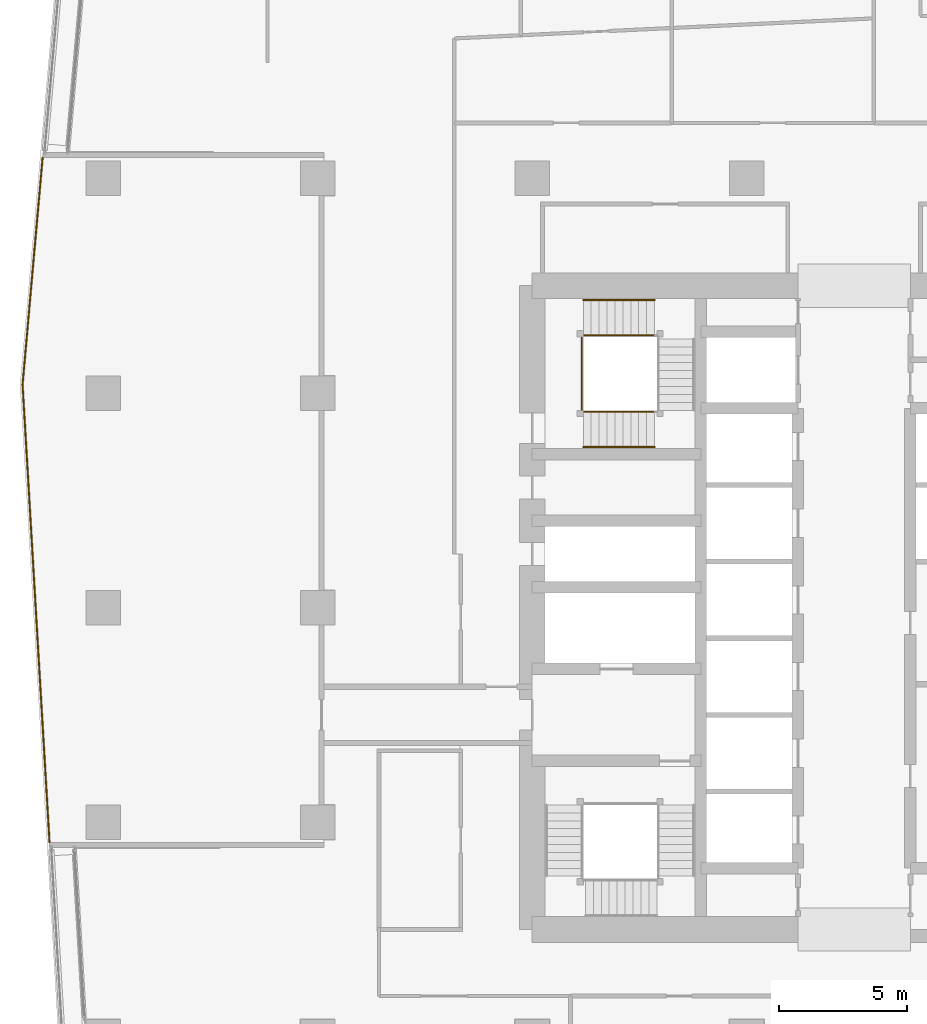
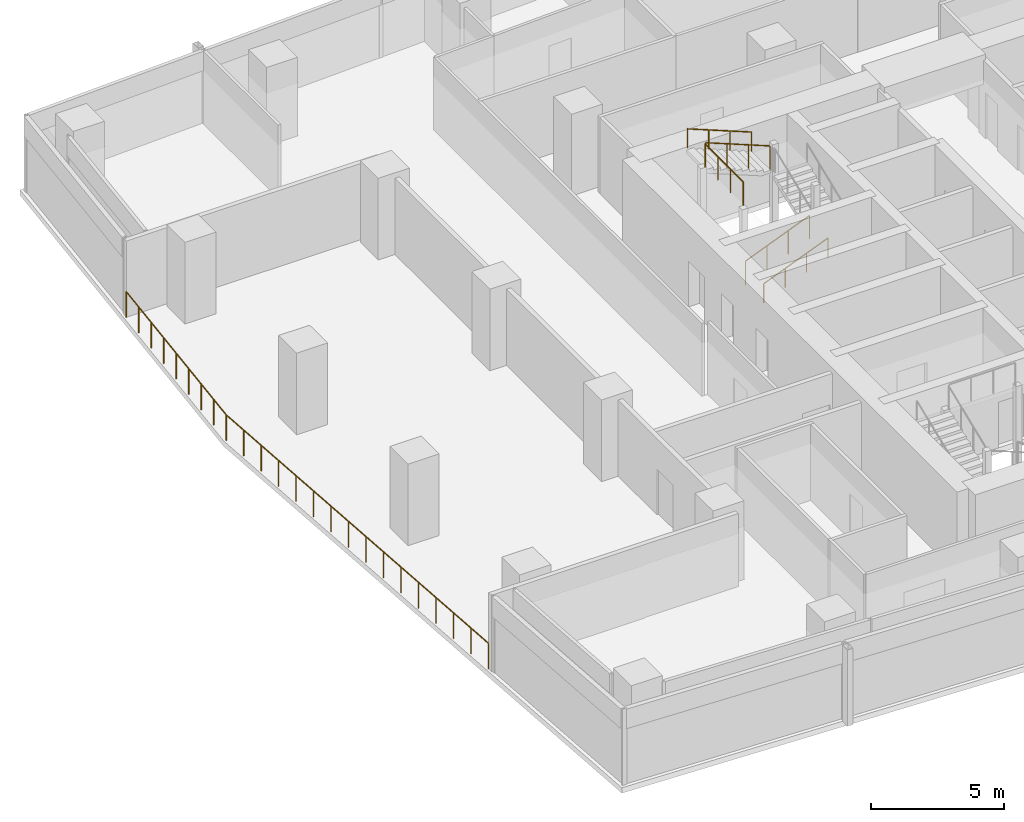
# One storey, part 30 of 35: 6 railings.
"""IFC4 building model written with IfcOpenShell, lengths in metres."""

import ifcopenshell
import ifcopenshell.guid

model = None  # the IFC model being written
_history = None  # IfcOwnerHistory: only IFC2X3 demands one
_inside = {}  # id of a spatial element -> (the spatial element, [elements in it])
_under = {}  # id of a project, library or spatial element -> (it, [spatial elements below it])
_declared = {}  # id of a project -> (the project, [libraries it declares])
_typed = {}  # id of a type object -> (the type object, [elements of that type])
_made_of = {}  # id of a material, layer set ... -> (it, [elements and type objects made of it])


def new_model(schema):
    """Start an empty IFC model of exactly this schema.

    Asked for "IFC4X3", IfcOpenShell would pick the latest addendum, in which some entities
    have other attributes; the version numbers below select the first issue.
    IFC2X3 requires an IfcOwnerHistory on every rooted entity: one is made here for all.
    """
    global model, _history
    if schema == "IFC4X3":
        model = ifcopenshell.file(schema_version=(4, 3, 0, 0))
    else:
        model = ifcopenshell.file(schema=schema)
    _inside.clear()
    _under.clear()
    _declared.clear()
    _typed.clear()
    _made_of.clear()
    _history = None
    if model.schema == "IFC2X3":
        org = make("IfcOrganization", Name="unknown")
        user = make(
            "IfcPersonAndOrganization",
            ThePerson=make("IfcPerson", FamilyName="unknown"),
            TheOrganization=org,
        )
        app = make(
            "IfcApplication",
            ApplicationDeveloper=org,
            Version="unknown",
            ApplicationFullName="unknown",
            ApplicationIdentifier="unknown",
        )
        _history = make(
            "IfcOwnerHistory",
            OwningUser=user,
            OwningApplication=app,
            ChangeAction="ADDED",
            CreationDate=0,
        )
    return model


def make(cls, **values):
    """One entity of the class cls with the attributes given. An attribute that is None is left unset."""
    return model.create_entity(
        cls, **{name: value for name, value in values.items() if value is not None}
    )


def rooted(cls, **values):
    """An entity with a GlobalId (a new one), such as an element, a storey or a relation."""
    return make(cls, GlobalId=ifcopenshell.guid.new(), OwnerHistory=_history, **values)


def si_unit(unit_type, name, prefix=None):
    """IfcSIUnit, for example si_unit("LENGTHUNIT", "METRE", prefix="MILLI")."""
    return make("IfcSIUnit", UnitType=unit_type, Prefix=prefix, Name=name)


def assignment(units):
    """IfcUnitAssignment: the units of a project."""
    return None if units is None else make("IfcUnitAssignment", Units=units)


def point(xyz):
    """IfcCartesianPoint."""
    return None if xyz is None else make("IfcCartesianPoint", Coordinates=xyz)


def direction(xyz):
    """IfcDirection."""
    return None if xyz is None else make("IfcDirection", DirectionRatios=xyz)


def frame(location, z_axis=None, x_axis=None):
    """IfcAxis2Placement3D, a coordinate frame: its origin and axes. An axis left out is left unset."""
    return make(
        "IfcAxis2Placement3D",
        Location=point(location),
        Axis=direction(z_axis),
        RefDirection=direction(x_axis),
    )


def frame_2d(location, x_axis=None):
    """IfcAxis2Placement2D, a coordinate frame in the plane: its origin and x axis."""
    return make(
        "IfcAxis2Placement2D", Location=point(location), RefDirection=direction(x_axis)
    )


def origin():
    """The frame at (0, 0, 0) with its axes left unset."""
    return frame((0.0, 0.0, 0.0))


def origin_2d():
    """The frame at (0, 0) in the plane with its x axis left unset."""
    return frame_2d((0.0, 0.0))


def place(relative_to, where):
    """IfcLocalPlacement: puts the frame where relative to a parent placement (None: the world)."""
    return make(
        "IfcLocalPlacement", PlacementRelTo=relative_to, RelativePlacement=where
    )


def context(
    kind, dimensions, precision=None, world=None, true_north=None, identifier=None
):
    """IfcGeometricRepresentationContext, for example the 3D "Model" context."""
    return make(
        "IfcGeometricRepresentationContext",
        ContextIdentifier=identifier,
        ContextType=kind,
        CoordinateSpaceDimension=dimensions,
        Precision=precision,
        WorldCoordinateSystem=world,
        TrueNorth=true_north,
    )


def subcontext(parent, identifier, kind, view, scale=None):
    """IfcGeometricRepresentationSubContext, for example "Body" below "Model"."""
    return make(
        "IfcGeometricRepresentationSubContext",
        ContextIdentifier=identifier,
        ContextType=kind,
        ParentContext=parent,
        TargetScale=scale,
        TargetView=view,
    )


def project(units=None, contexts=None):
    """IfcProject with its units and contexts."""
    return rooted(
        "IfcProject",
        Name="project",
        RepresentationContexts=contexts,
        UnitsInContext=assignment(units),
    )


def spatial(cls, under=None, at=None, **own):
    """A site, building, storey or space (cls), placed at a placement, below another one or the project."""
    s = rooted(cls, ObjectPlacement=at, **own)
    if under is not None:
        _under.setdefault(under.id(), (under, []))[1].append(s)
    return s


def profile(cls, at=None, kind="AREA", **sizes):
    """A parametric profile (cls). Its sizes go by their IFC names, for example OverallWidth=200.0."""
    return make(cls, ProfileType=kind, Position=at, **sizes)


def circle(**sizes):
    """IfcCircleProfileDef."""
    return profile("IfcCircleProfileDef", **sizes)


def extrude(swept, where, along, depth):
    """IfcExtrudedAreaSolid: the profile swept, set in the frame where, extruded along a direction by depth."""
    return make(
        "IfcExtrudedAreaSolid",
        SweptArea=swept,
        Position=where,
        ExtrudedDirection=direction(along),
        Depth=depth,
    )


def shape(context_of_items, identifier, shape_type, items):
    """IfcShapeRepresentation: the items that make up one representation, for example the "Body"."""
    return make(
        "IfcShapeRepresentation",
        ContextOfItems=context_of_items,
        RepresentationIdentifier=identifier,
        RepresentationType=shape_type,
        Items=items,
    )


def material(Name=None, Category=None):
    """IfcMaterial."""
    return make("IfcMaterial", Name=Name, Category=Category)


def made_of(thing, what):
    """Note that an element or type object is made of a material, layer set ...; save() writes the relation."""
    if what is not None:
        _made_of.setdefault(what.id(), (what, []))[1].append(thing)
    return thing


def type_object(cls, material=None, **own):
    """A type object (cls), such as IfcWallType, which elements share."""
    return made_of(rooted(cls, **own), material)


def element(
    cls,
    number,
    at=None,
    inside=None,
    cuts=None,
    type_object=None,
    material=None,
    context=None,
    identifier="Body",
    shape_type=None,
    held_by="IfcProductDefinitionShape",
    body=None,
    shapes=None,
    **own,
):
    """One element of the class cls, such as IfcWall. Its Tag is "e" and its number.

    at: its placement. inside: the storey or other place that contains it. cuts: it is an
    opening in that element (IfcRelVoidsElement). A single representation is given by context,
    identifier, shape_type and body (its items); several are given by shapes. held_by: the class
    of the entity that holds the representations. save() writes the other relations.
    """
    e = rooted(cls, Tag="e%d" % number, ObjectPlacement=at, **own)
    if body is not None:
        shapes = [shape(context, identifier, shape_type, body)]
    if shapes is not None:
        e.Representation = make(held_by, Representations=shapes)
    if inside is not None:
        _inside.setdefault(inside.id(), (inside, []))[1].append(e)
    if cuts is not None:
        rooted(
            "IfcRelVoidsElement", RelatingBuildingElement=cuts, RelatedOpeningElement=e
        )
    if type_object is not None:
        _typed.setdefault(type_object.id(), (type_object, []))[1].append(e)
    return made_of(e, material)


def aggregate(whole, parts):
    """IfcRelAggregates: a whole, such as a stair, and the parts it consists of."""
    return rooted("IfcRelAggregates", RelatingObject=whole, RelatedObjects=parts)


def save(model, path):
    """Write the relations noted so far, then the file.

    IfcRelAggregates (storeys below a building ...), IfcRelContainedInSpatialStructure (elements
    in a storey), IfcRelDefinesByType, IfcRelAssociatesMaterial and IfcRelDeclares: one each for
    every whole, place, type object, material and project.
    """
    for whole, parts in _under.values():
        aggregate(whole, parts)
    for where, things in _inside.values():
        rooted(
            "IfcRelContainedInSpatialStructure",
            RelatedElements=things,
            RelatingStructure=where,
        )
    for kind, things in _typed.values():
        rooted("IfcRelDefinesByType", RelatedObjects=things, RelatingType=kind)
    for what, things in _made_of.values():
        rooted("IfcRelAssociatesMaterial", RelatedObjects=things, RelatingMaterial=what)
    for by, libraries in _declared.values():
        rooted("IfcRelDeclares", RelatingContext=by, RelatedDefinitions=libraries)
    model.write(path)


model = new_model("IFC4")

# Units and contexts
model_context = context("Model", 3, precision=1e-05, world=origin(), true_north=direction((0.0, 1.0)))
body_context = subcontext(model_context, "Body", "Model", "MODEL_VIEW")
ifc_project = project(units=[si_unit("LENGTHUNIT", "METRE"), si_unit("AREAUNIT", "SQUARE_METRE"), si_unit("VOLUMEUNIT", "CUBIC_METRE"), si_unit("PLANEANGLEUNIT", "RADIAN"), si_unit("MASSUNIT", "GRAM", prefix="KILO")], contexts=[model_context])

# Site, building, storey
site_placement = place(None, origin())
site = spatial("IfcSite", under=ifc_project, at=site_placement, CompositionType="ELEMENT")
building_placement = place(site_placement, origin())
building = spatial("IfcBuilding", under=site, at=building_placement, Name="Rekha Terrace Tower", CompositionType="ELEMENT")
storey_placement = place(building_placement, frame((0.0, 0.0, 191.449951171875)))
storey = spatial("IfcBuildingStorey", under=building, at=storey_placement, Name="L48", CompositionType="ELEMENT", Elevation=191.449951171875)

# Railings
ifc_material_1 = material(Name="Stainless steel balustrade", Category="steel")
railing_type_1 = type_object("IfcRailingType", Name="GR1 1100 stair guard", PredefinedType="GUARDRAIL", material=ifc_material_1)
railing_1_placement = place(storey_placement, frame((27.199951171875, 41.264892578125, 0.125)))
element("IfcRailing", 1, at=railing_1_placement, inside=storey, type_object=railing_type_1, Name="Guard ST4 L48 flight 1", PredefinedType="GUARDRAIL", context=body_context, shape_type="SweptSolid", body=[
    extrude(circle(Radius=0.02392578125, at=origin_2d()), frame((0.0, 0.0, 1.076171875), z_axis=(0.927443287984, 0.0, 0.373963831907), x_axis=(0.0, 1.0, 0.0)), (0.0, 0.0, 1.0), 3.00830078125),
    extrude(circle(Radius=0.02099609375, at=origin_2d()), origin(), (0.0, 0.0, 1.0), 1.052001953125),
    extrude(circle(Radius=0.02099609375, at=origin_2d()), frame((0.929931640625, 0.0, 0.375)), (0.0, 0.0, 1.0), 1.052001953125),
    extrude(circle(Radius=0.02099609375, at=origin_2d()), frame((1.860107421875, 0.0, 0.75)), (0.0, 0.0, 1.0), 1.052001953125),
    extrude(circle(Radius=0.02099609375, at=origin_2d()), frame((2.7900390625, 0.0, 1.125)), (0.0, 0.0, 1.0), 1.052001953125),
])
railing_2_placement = place(storey_placement, frame((29.989990234375, 44.260009765625, 2.625)))
element("IfcRailing", 2, at=railing_2_placement, inside=storey, type_object=railing_type_1, Name="Guard ST4 L48 flight 3", PredefinedType="GUARDRAIL", context=body_context, shape_type="SweptSolid", body=[
    extrude(circle(Radius=0.02392578125, at=origin_2d()), frame((0.0, 0.0, 1.076171875), z_axis=(-0.927443287984, 0.0, 0.373963831907), x_axis=(0.0, -1.0, 0.0)), (0.0, 0.0, 1.0), 3.00830078125),
    extrude(circle(Radius=0.02099609375, at=origin_2d()), origin(), (0.0, 0.0, 1.0), 1.052001953125),
    extrude(circle(Radius=0.02099609375, at=origin_2d()), frame((-0.929931640625, 0.0, 0.375)), (0.0, 0.0, 1.0), 1.052001953125),
    extrude(circle(Radius=0.02099609375, at=origin_2d()), frame((-1.860107421875, 0.0, 0.75)), (0.0, 0.0, 1.0), 1.052001953125),
    extrude(circle(Radius=0.02099609375, at=origin_2d()), frame((-2.7900390625, 0.0, 1.125)), (0.0, 0.0, 1.0), 1.052001953125),
])
railing_3_placement = place(storey_placement, frame((27.139892578125, 41.324951171875, 3.75)))
element("IfcRailing", 3, at=railing_3_placement, inside=storey, type_object=railing_type_1, Name="Guard ST4 L48 landing 4", PredefinedType="GUARDRAIL", context=body_context, shape_type="SweptSolid", body=[
    extrude(circle(Radius=0.02392578125, at=origin_2d()), frame((0.0, 0.0, 1.076171875), z_axis=(0.0, 1.0, 0.0), x_axis=(-1.0, 0.0, 0.0)), (0.0, 0.0, 1.0), 2.875),
    extrude(circle(Radius=0.02099609375, at=origin_2d()), origin(), (0.0, 0.0, 1.0), 1.052001953125),
    extrude(circle(Radius=0.02099609375, at=origin_2d()), frame((0.0, 0.958251953125, 0.0)), (0.0, 0.0, 1.0), 1.052001953125),
    extrude(circle(Radius=0.02099609375, at=origin_2d()), frame((0.0, 1.916748046875, 0.0)), (0.0, 0.0, 1.0), 1.052001953125),
    extrude(circle(Radius=0.02099609375, at=origin_2d()), frame((0.0, 2.875, 0.0)), (0.0, 0.0, 1.0), 1.052001953125),
])
ifc_material_2 = material(Name="Steel guard with vertical balusters", Category="steel")
railing_type_2 = type_object("IfcRailingType", Name="GR2 refuge area guard 1200", PredefinedType="GUARDRAIL", material=ifc_material_2)
railing_4_placement = place(storey_placement, frame((6.304931640625, 24.412109375, 0.0)))
element("IfcRailing", 4, at=railing_4_placement, inside=storey, type_object=railing_type_2, Name="Refuge area guard L48", PredefinedType="GUARDRAIL", context=body_context, shape_type="SweptSolid", body=[
    extrude(circle(Radius=0.02392578125, at=origin_2d()), frame((0.0, 0.0, 1.17578125), z_axis=(-0.058777042228, 0.998271135167, 0.0), x_axis=(-0.998271135167, -0.058777042228, 0.0)), (0.0, 0.0, 1.0), 17.947998046875),
    extrude(circle(Radius=0.02392578125, at=origin_2d()), frame((-1.054931640625, 17.9169921875, 1.17578125), z_axis=(0.088020053586, 0.99611870285, 0.0), x_axis=(-0.99611870285, 0.088020053586, 0.0)), (0.0, 0.0, 1.0), 8.91748046875),
    extrude(circle(Radius=0.02099609375, at=origin_2d()), origin(), (0.0, 0.0, 1.0), 1.15185546875),
    extrude(circle(Radius=0.02099609375, at=origin_2d()), frame((-0.0703125, 1.194580078125, 0.0)), (0.0, 0.0, 1.0), 1.15185546875),
    extrude(circle(Radius=0.02099609375, at=origin_2d()), frame((-0.140625, 2.388916015625, 0.0)), (0.0, 0.0, 1.0), 1.15185546875),
    extrude(circle(Radius=0.02099609375, at=origin_2d()), frame((-0.2109375, 3.58349609375, 0.0)), (0.0, 0.0, 1.0), 1.15185546875),
    extrude(circle(Radius=0.02099609375, at=origin_2d()), frame((-0.28125, 4.77783203125, 0.0)), (0.0, 0.0, 1.0), 1.15185546875),
    extrude(circle(Radius=0.02099609375, at=origin_2d()), frame((-0.3515625, 5.972412109375, 0.0)), (0.0, 0.0, 1.0), 1.15185546875),
    extrude(circle(Radius=0.02099609375, at=origin_2d()), frame((-0.421875, 7.166748046875, 0.0)), (0.0, 0.0, 1.0), 1.15185546875),
    extrude(circle(Radius=0.02099609375, at=origin_2d()), frame((-0.4921875, 8.361328125, 0.0)), (0.0, 0.0, 1.0), 1.15185546875),
    extrude(circle(Radius=0.02099609375, at=origin_2d()), frame((-0.562744140625, 9.5556640625, 0.0)), (0.0, 0.0, 1.0), 1.15185546875),
    extrude(circle(Radius=0.02099609375, at=origin_2d()), frame((-0.633056640625, 10.750244140625, 0.0)), (0.0, 0.0, 1.0), 1.15185546875),
    extrude(circle(Radius=0.02099609375, at=origin_2d()), frame((-0.703369140625, 11.944580078125, 0.0)), (0.0, 0.0, 1.0), 1.15185546875),
    extrude(circle(Radius=0.02099609375, at=origin_2d()), frame((-0.773681640625, 13.13916015625, 0.0)), (0.0, 0.0, 1.0), 1.15185546875),
    extrude(circle(Radius=0.02099609375, at=origin_2d()), frame((-0.843994140625, 14.33349609375, 0.0)), (0.0, 0.0, 1.0), 1.15185546875),
    extrude(circle(Radius=0.02099609375, at=origin_2d()), frame((-0.914306640625, 15.528076171875, 0.0)), (0.0, 0.0, 1.0), 1.15185546875),
    extrude(circle(Radius=0.02099609375, at=origin_2d()), frame((-0.984619140625, 16.722412109375, 0.0)), (0.0, 0.0, 1.0), 1.15185546875),
    extrude(circle(Radius=0.02099609375, at=origin_2d()), frame((-1.054931640625, 17.9169921875, 0.0)), (0.0, 0.0, 1.0), 1.15185546875),
    extrude(circle(Radius=0.02099609375, at=origin_2d()), frame((-0.956787109375, 19.02734375, 0.0)), (0.0, 0.0, 1.0), 1.15185546875),
    extrude(circle(Radius=0.02099609375, at=origin_2d()), frame((-0.858642578125, 20.1376953125, 0.0)), (0.0, 0.0, 1.0), 1.15185546875),
    extrude(circle(Radius=0.02099609375, at=origin_2d()), frame((-0.760498046875, 21.248046875, 0.0)), (0.0, 0.0, 1.0), 1.15185546875),
    extrude(circle(Radius=0.02099609375, at=origin_2d()), frame((-0.66259765625, 22.3583984375, 0.0)), (0.0, 0.0, 1.0), 1.15185546875),
    extrude(circle(Radius=0.02099609375, at=origin_2d()), frame((-0.564453125, 23.46875, 0.0)), (0.0, 0.0, 1.0), 1.15185546875),
    extrude(circle(Radius=0.02099609375, at=origin_2d()), frame((-0.46630859375, 24.5791015625, 0.0)), (0.0, 0.0, 1.0), 1.15185546875),
    extrude(circle(Radius=0.02099609375, at=origin_2d()), frame((-0.3681640625, 25.689453125, 0.0)), (0.0, 0.0, 1.0), 1.15185546875),
    extrude(circle(Radius=0.02099609375, at=origin_2d()), frame((-0.27001953125, 26.7998046875, 0.0)), (0.0, 0.0, 1.0), 1.15185546875),
])
ifc_material_3 = material(Name="Stainless steel tube", Category="steel")
railing_type_3 = type_object("IfcRailingType", Name="HR1 900 stair handrail", PredefinedType="HANDRAIL", material=ifc_material_3)
railing_5_placement = place(storey_placement, frame((27.199951171875, 39.885009765625, 0.125)))
element("IfcRailing", 5, at=railing_5_placement, inside=storey, type_object=railing_type_3, Name="Handrail ST4 L48 flight 1", PredefinedType="HANDRAIL", context=body_context, shape_type="SweptSolid", body=[
    extrude(circle(Radius=0.02392578125, at=origin_2d()), frame((0.0, 0.0, 0.8759765625), z_axis=(0.927443287984, 0.0, 0.373963831907), x_axis=(0.0, 1.0, 0.0)), (0.0, 0.0, 1.0), 3.00830078125),
    extrude(circle(Radius=0.02099609375, at=origin_2d()), origin(), (0.0, 0.0, 1.0), 0.851806640625),
    extrude(circle(Radius=0.02099609375, at=origin_2d()), frame((0.929931640625, 0.0, 0.375)), (0.0, 0.0, 1.0), 0.851806640625),
    extrude(circle(Radius=0.02099609375, at=origin_2d()), frame((1.860107421875, 0.0, 0.75)), (0.0, 0.0, 1.0), 0.851806640625),
    extrude(circle(Radius=0.02099609375, at=origin_2d()), frame((2.7900390625, 0.0, 1.125)), (0.0, 0.0, 1.0), 0.851806640625),
])
railing_6_placement = place(storey_placement, frame((29.989990234375, 45.639892578125, 2.625)))
element("IfcRailing", 6, at=railing_6_placement, inside=storey, type_object=railing_type_3, Name="Handrail ST4 L48 flight 3", PredefinedType="HANDRAIL", context=body_context, shape_type="SweptSolid", body=[
    extrude(circle(Radius=0.02392578125, at=origin_2d()), frame((0.0, 0.0, 0.8759765625), z_axis=(-0.927443287984, 0.0, 0.373963831907), x_axis=(0.0, -1.0, 0.0)), (0.0, 0.0, 1.0), 3.00830078125),
    extrude(circle(Radius=0.02099609375, at=origin_2d()), origin(), (0.0, 0.0, 1.0), 0.851806640625),
    extrude(circle(Radius=0.02099609375, at=origin_2d()), frame((-0.929931640625, 0.0, 0.375)), (0.0, 0.0, 1.0), 0.851806640625),
    extrude(circle(Radius=0.02099609375, at=origin_2d()), frame((-1.860107421875, 0.0, 0.75)), (0.0, 0.0, 1.0), 0.851806640625),
    extrude(circle(Radius=0.02099609375, at=origin_2d()), frame((-2.7900390625, 0.0, 1.125)), (0.0, 0.0, 1.0), 0.851806640625),
])

save(model, "model.ifc")
